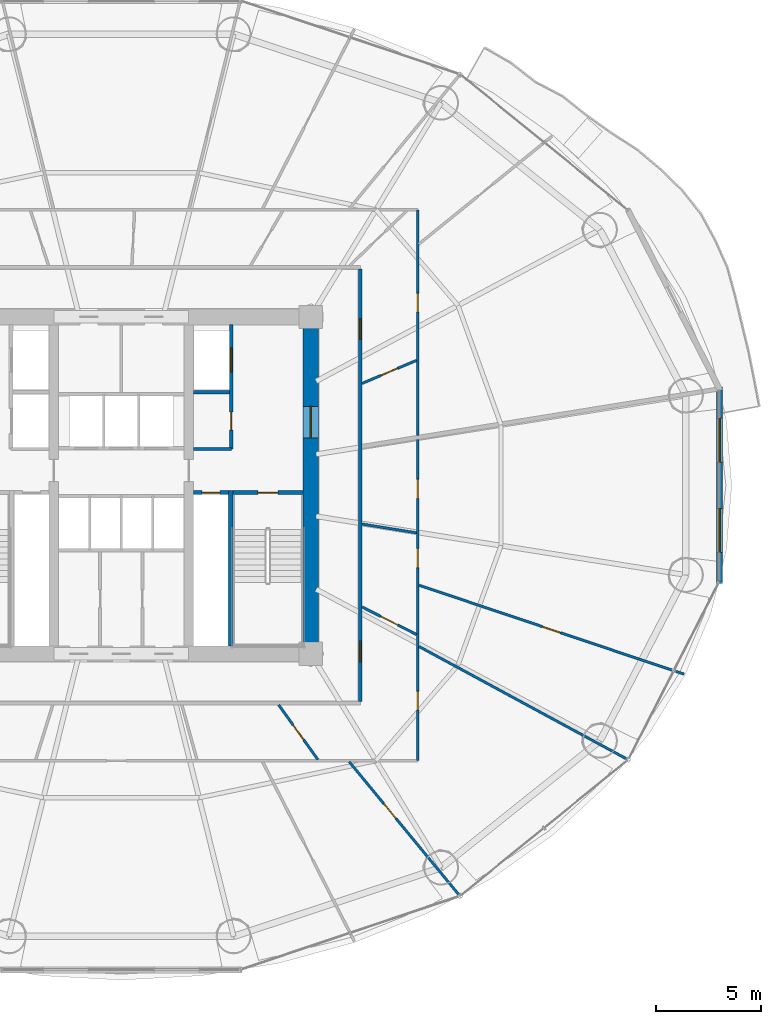
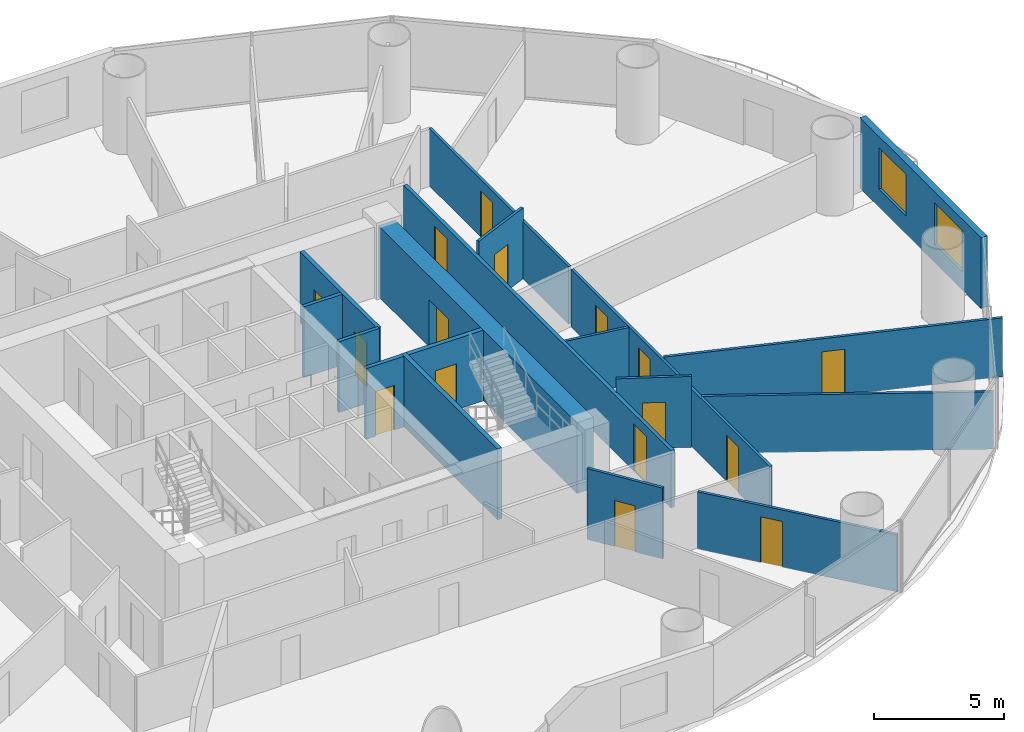
# One storey, part 23 of 28: 18 walls, 16 doors, 2 windows, 18 openings.
"""IFC4 building model written with IfcOpenShell, lengths in metres."""

from ifc_helpers import new_model, si_unit, direction, frame, frame_2d, origin, place, context, subcontext, project, spatial, rectangle, extrude, source, transform, mapped, material, layer, layer_set, type_object, element, fill, save


model = new_model("IFC4")

# Units and contexts
model_context = context("Model", 3, precision=1e-05, world=origin(), true_north=direction((-0.2419218956, 0.970295726276)))
body_context = subcontext(model_context, "Body", "Model", "MODEL_VIEW")
ifc_project = project(units=[si_unit("LENGTHUNIT", "METRE"), si_unit("AREAUNIT", "SQUARE_METRE"), si_unit("VOLUMEUNIT", "CUBIC_METRE"), si_unit("PLANEANGLEUNIT", "RADIAN"), si_unit("MASSUNIT", "GRAM", prefix="KILO")], contexts=[model_context])

# Site, building, storey
site_placement = place(None, origin())
site = spatial("IfcSite", under=ifc_project, at=site_placement, CompositionType="ELEMENT")
building_placement = place(site_placement, origin())
building = spatial("IfcBuilding", under=site, at=building_placement, Name="Cobrevalo Terracotta Tower", CompositionType="ELEMENT")
storey_placement = place(building_placement, frame((0.0, 0.0, 38.39990234375)))
storey = spatial("IfcBuildingStorey", under=building, at=storey_placement, Name="L09", CompositionType="ELEMENT", Elevation=38.39990234375)

# Wall, opening, door
ifc_material_1 = material(Name="Concrete C60", Category="concrete")
ifc_layer_1 = layer(ifc_material_1, 0.75)
ifc_layer_set_1 = layer_set([ifc_layer_1], Name="Concrete C60")
wall_type_1 = type_object("IfcWallType", Name="Core shear wall 750 mm Concrete C60", PredefinedType="SHEAR", material=ifc_layer_set_1)
wall_1_placement = place(storey_placement, frame((47.0, 19.175048828125, 0.0), z_axis=(0.0, 0.0, 1.0), x_axis=(0.0, 1.0, 0.0)))
wall_1 = element("IfcWall", 1, at=wall_1_placement, inside=storey, type_object=wall_type_1, Name="L09 east core shear wall", PredefinedType="SHEAR", context=body_context, shape_type="SweptSolid", body=[
    extrude(rectangle(XDim=15.25, YDim=0.75, at=frame_2d((7.625, 0.0))), origin(), (0.0, 0.0, 1.0), 3.320068359375),
])
opening_1_placement = place(wall_1_placement, frame((9.875, 0.0, 0.0)))
opening_1 = element("IfcOpeningElement", 2, at=opening_1_placement, cuts=wall_1, Name="Opening ID-14", PredefinedType="OPENING", context=body_context, shape_type="SweptSolid", body=[
    extrude(rectangle(XDim=1.5, YDim=2.199951171875, at=frame_2d((0.75, 1.10009765625))), frame((0.0, 0.385009765625, 0.0), z_axis=(0.0, -1.0, 0.0), x_axis=(1.0, 0.0, 0.0)), (0.0, 0.0, 1.0), 0.77001953125),
])
ifc_material_2 = material(Name="Galvanized fire-rated steel", Category="steel")
door_type_1 = type_object("IfcDoorType", Name="Core cross-lobby double fire door 1500x2200 EI 90", OperationType="NOTDEFINED", PredefinedType="DOOR", material=ifc_material_2)
shared_shape_1 = source(origin(), body_context, "Body", "SweptSolid", [
    extrude(rectangle(XDim=1.5, YDim=2.199951171875, at=frame_2d((0.75, 1.10009765625))), frame((0.0, 0.02490234375, 0.0), z_axis=(0.0, -1.0, 0.0), x_axis=(1.0, 0.0, 0.0)), (0.0, 0.0, 1.0), 0.050048828125),
])
door_1_placement = place(opening_1_placement, frame((1.5, 0.0, 0.0), z_axis=(0.0, 0.0, 1.0), x_axis=(-1.0, 0.0, 0.0)))
door_1 = element("IfcDoor", 3, at=door_1_placement, inside=storey, type_object=door_type_1, Name="L09 east firefighting lobby entrance door", OperationType="DOUBLE_DOOR_SINGLE_SWING", OverallHeight=2.199951171875, OverallWidth=1.5, PredefinedType="DOOR", context=body_context, shape_type="MappedRepresentation", body=[
    mapped(shared_shape_1, transform((0.0, 0.0, 0.0), scale=1.0)),
])
fill(opening_1, door_1)

# Walls
ifc_material_3 = material(Name="Gypsum board on steel stud", Category="steel")
ifc_layer_2 = layer(ifc_material_3, 0.159912109375)
ifc_layer_set_2 = layer_set([ifc_layer_2], Name="Gypsum board on steel stud")
wall_type_2 = type_object("IfcWallType", Name="Fire-rated corridor acoustic partition wall 160 mm", PredefinedType="PARTITIONING", material=ifc_layer_set_2)
wall_2_placement = place(storey_placement, frame((41.425048828125, 31.219970703125, 0.0), z_axis=(0.0, 0.0, 1.0), x_axis=(1.0, 0.0, 0.0)))
element("IfcWall", 4, at=wall_2_placement, inside=storey, type_object=wall_type_2, Name="L09 interior partition IW-L09-FF2-M", PredefinedType="PARTITIONING", context=body_context, shape_type="SweptSolid", body=[
    extrude(rectangle(XDim=1.71484375, YDim=0.159912109375, at=frame_2d((0.857421875, 0.0))), origin(), (0.0, 0.0, 1.0), 3.320068359375),
])
wall_3_placement = place(storey_placement, frame((41.425048828125, 28.52001953125, 0.0), z_axis=(0.0, 0.0, 1.0), x_axis=(1.0, 0.0, 0.0)))
element("IfcWall", 5, at=wall_3_placement, inside=storey, type_object=wall_type_2, Name="L09 interior partition IW-L09-FF2-S", PredefinedType="PARTITIONING", context=body_context, shape_type="SweptSolid", body=[
    extrude(rectangle(XDim=1.804931640625, YDim=0.159912109375, at=frame_2d((0.90234375, 0.0))), origin(), (0.0, 0.0, 1.0), 3.320068359375),
])

# Wall, openings, doors
wall_4_placement = place(storey_placement, frame((49.35498046875, 16.52490234375, 0.0), z_axis=(0.0, 0.0, 1.0), x_axis=(0.0, 1.0, 0.0)))
wall_4 = element("IfcWall", 6, at=wall_4_placement, inside=storey, type_object=wall_type_2, Name="L09 interior partition IW-L09-COR-E", PredefinedType="PARTITIONING", context=body_context, shape_type="SweptSolid", body=[
    extrude(rectangle(XDim=20.550048828125, YDim=0.159912109375, at=frame_2d((10.27490234375, 0.0))), origin(), (0.0, 0.0, 1.0), 2.68798828125),
])
opening_2_placement = place(wall_4_placement, frame((17.20654296875, 0.0, 0.0)))
opening_2 = element("IfcOpeningElement", 7, at=opening_2_placement, cuts=wall_4, Name="Opening ID-05", PredefinedType="OPENING", context=body_context, shape_type="SweptSolid", body=[
    extrude(rectangle(XDim=0.97998046875, YDim=2.199951171875, at=frame_2d((0.489990234375, 1.10009765625))), frame((0.0, 0.08984375, 0.0), z_axis=(0.0, -1.0, 0.0), x_axis=(1.0, 0.0, 0.0)), (0.0, 0.0, 1.0), 0.179931640625),
])
opening_3_placement = place(wall_4_placement, frame((1.89208984375, 0.0, 0.0)))
opening_3 = element("IfcOpeningElement", 8, at=opening_3_placement, cuts=wall_4, Name="Opening ID-05", PredefinedType="OPENING", context=body_context, shape_type="SweptSolid", body=[
    extrude(rectangle(XDim=0.97998046875, YDim=2.199951171875, at=frame_2d((0.489990234375, 1.10009765625))), frame((0.0, 0.08984375, 0.0), z_axis=(0.0, -1.0, 0.0), x_axis=(1.0, 0.0, 0.0)), (0.0, 0.0, 1.0), 0.179931640625),
])
ifc_material_4 = material(Name="Solid hardwood timber", Category="wood")
door_type_2 = type_object("IfcDoorType", Name="Residence entrance fire-rated acoustic timber door 980x2200 EI 60", OperationType="NOTDEFINED", PredefinedType="DOOR", material=ifc_material_4)
shared_shape_2 = source(origin(), body_context, "Body", "SweptSolid", [
    extrude(rectangle(XDim=0.97998046875, YDim=2.199951171875, at=frame_2d((0.489990234375, 1.10009765625))), frame((0.0, 0.02490234375, 0.0), z_axis=(0.0, -1.0, 0.0), x_axis=(1.0, 0.0, 0.0)), (0.0, 0.0, 1.0), 0.050048828125),
])
door_2_placement = place(opening_2_placement, frame((0.97998046875, 0.0, 0.0), z_axis=(0.0, 0.0, 1.0), x_axis=(-1.0, 0.0, 0.0)))
door_2 = element("IfcDoor", 9, at=door_2_placement, inside=storey, type_object=door_type_2, Name="Flat L09A fire-rated apartment entrance door", OperationType="SINGLE_SWING_RIGHT", OverallHeight=2.199951171875, OverallWidth=0.97998046875, PredefinedType="DOOR", context=body_context, shape_type="MappedRepresentation", body=[
    mapped(shared_shape_2, transform((0.0, 0.0, 0.0), scale=1.0)),
])
fill(opening_2, door_2)
door_3_placement = place(opening_3_placement, frame((0.97998046875, 0.0, 0.0), z_axis=(0.0, 0.0, 1.0), x_axis=(-1.0, 0.0, 0.0)))
door_3 = element("IfcDoor", 10, at=door_3_placement, inside=storey, type_object=door_type_2, Name="Flat L09C fire-rated apartment entrance door", OperationType="SINGLE_SWING_RIGHT", OverallHeight=2.199951171875, OverallWidth=0.97998046875, PredefinedType="DOOR", context=body_context, shape_type="MappedRepresentation", body=[
    mapped(shared_shape_2, transform((0.0, 0.0, 0.0), scale=1.0)),
])
fill(opening_3, door_3)

# Wall, opening, door
ifc_layer_3 = layer(ifc_material_3, 0.179931640625)
ifc_layer_set_3 = layer_set([ifc_layer_3], Name="Gypsum board on steel stud")
wall_type_3 = type_object("IfcWallType", Name="Fire-rated shaft & lobby acoustic partition wall 180 mm", PredefinedType="PARTITIONING", material=ifc_layer_set_3)
wall_5_placement = place(storey_placement, frame((41.425048828125, 26.449951171875, 0.0), z_axis=(0.0, 0.0, 1.0), x_axis=(1.0, 0.0, 0.0)))
wall_5 = element("IfcWall", 11, at=wall_5_placement, inside=storey, type_object=wall_type_3, Name="L09 interior partition IW-L09-RSE-N", PredefinedType="PARTITIONING", context=body_context, shape_type="SweptSolid", body=[
    extrude(rectangle(XDim=1.675048828125, YDim=0.179931640625, at=frame_2d((0.83740234375, 0.0))), origin(), (0.0, 0.0, 1.0), 3.320068359375),
])
opening_4_placement = place(wall_5_placement, frame((0.41259765625, 0.0, 0.0)))
opening_4 = element("IfcOpeningElement", 12, at=opening_4_placement, cuts=wall_5, Name="Opening ID-22", PredefinedType="OPENING", context=body_context, shape_type="SweptSolid", body=[
    extrude(rectangle(XDim=0.85009765625, YDim=2.10009765625, at=frame_2d((0.425048828125, 1.050048828125))), frame((0.0, 0.10009765625, 0.0), z_axis=(0.0, -1.0, 0.0), x_axis=(1.0, 0.0, 0.0)), (0.0, 0.0, 1.0), 0.199951171875),
])
ifc_material_5 = material(Name="Powder-coated steel", Category="steel")
door_type_3 = type_object("IfcDoorType", Name="Riser shaft & meter closet fire access door 850x2100 EI 60", OperationType="NOTDEFINED", PredefinedType="DOOR", material=ifc_material_5)
shared_shape_3 = source(origin(), body_context, "Body", "SweptSolid", [
    extrude(rectangle(XDim=0.85009765625, YDim=2.10009765625, at=frame_2d((0.425048828125, 1.050048828125))), frame((0.0, 0.02490234375, 0.0), z_axis=(0.0, -1.0, 0.0), x_axis=(1.0, 0.0, 0.0)), (0.0, 0.0, 1.0), 0.050048828125),
])
door_4_placement = place(opening_4_placement, origin())
door_4 = element("IfcDoor", 13, at=door_4_placement, inside=storey, type_object=door_type_3, Name="L09 riser access door RSE", OperationType="SINGLE_SWING_RIGHT", OverallHeight=2.10009765625, OverallWidth=0.85009765625, PredefinedType="DOOR", context=body_context, shape_type="MappedRepresentation", body=[
    mapped(shared_shape_3, transform((0.0, 0.0, 0.0), scale=1.0)),
])
fill(opening_4, door_4)

# Wall, openings, doors
wall_6_placement = place(storey_placement, frame((43.22998046875, 28.52001953125, 0.0), z_axis=(0.0, 0.0, 1.0), x_axis=(0.0, 1.0, 0.0)))
wall_6 = element("IfcWall", 14, at=wall_6_placement, inside=storey, type_object=wall_type_3, Name="L09 interior partition IW-L09-FF2-E", PredefinedType="PARTITIONING", context=body_context, shape_type="SweptSolid", body=[
    extrude(rectangle(XDim=5.905029296875, YDim=0.179931640625, at=frame_2d((2.95263671875, 0.0))), origin(), (0.0, 0.0, 1.0), 3.320068359375),
])
opening_5_placement = place(wall_6_placement, frame((0.905029296875, 0.0, 0.0)))
opening_5 = element("IfcOpeningElement", 15, at=opening_5_placement, cuts=wall_6, Name="Opening ID-22", PredefinedType="OPENING", context=body_context, shape_type="SweptSolid", body=[
    extrude(rectangle(XDim=0.85009765625, YDim=2.10009765625, at=frame_2d((0.425048828125, 1.050048828125))), frame((0.0, 0.10009765625, 0.0), z_axis=(0.0, -1.0, 0.0), x_axis=(1.0, 0.0, 0.0)), (0.0, 0.0, 1.0), 0.199951171875),
])
opening_6_placement = place(wall_6_placement, frame((3.655029296875, 0.0, 0.0)))
opening_6 = element("IfcOpeningElement", 16, at=opening_6_placement, cuts=wall_6, Name="Opening LD-02", PredefinedType="OPENING", context=body_context, shape_type="SweptSolid", body=[
    extrude(rectangle(XDim=1.14990234375, YDim=2.199951171875, at=frame_2d((0.574951171875, 1.10009765625))), frame((0.0, 0.10009765625, 0.0), z_axis=(0.0, -1.0, 0.0), x_axis=(1.0, 0.0, 0.0)), (0.0, 0.0, 1.0), 0.199951171875),
])
door_5_placement = place(opening_5_placement, frame((0.85009765625, 0.0, 0.0), z_axis=(0.0, 0.0, 1.0), x_axis=(-1.0, 0.0, 0.0)))
door_5 = element("IfcDoor", 17, at=door_5_placement, inside=storey, type_object=door_type_3, Name="L09 housekeeping store door", OperationType="SINGLE_SWING_RIGHT", OverallHeight=2.10009765625, OverallWidth=0.85009765625, PredefinedType="DOOR", context=body_context, shape_type="MappedRepresentation", body=[
    mapped(shared_shape_3, transform((0.0, 0.0, 0.0), scale=1.0)),
])
fill(opening_5, door_5)
ifc_material_6 = material(Name="Brushed stainless steel", Category="steel")
door_type_4 = type_object("IfcDoorType", Name="Firefighting lift landing bi-parting sliding door 1150x2200 EI 120", OperationType="DOUBLE_DOOR_SLIDING", PredefinedType="DOOR", material=ifc_material_6)
shared_shape_4 = source(origin(), body_context, "Body", "SweptSolid", [
    extrude(rectangle(XDim=1.14990234375, YDim=2.199951171875, at=frame_2d((0.574951171875, 1.10009765625))), frame((0.0, 0.02490234375, 0.0), z_axis=(0.0, -1.0, 0.0), x_axis=(1.0, 0.0, 0.0)), (0.0, 0.0, 1.0), 0.050048828125),
])
door_6_placement = place(opening_6_placement, origin())
door_6 = element("IfcDoor", 18, at=door_6_placement, inside=storey, type_object=door_type_4, Name="L09 lift landing door FF-2", OperationType="DOUBLE_DOOR_SLIDING", OverallHeight=2.199951171875, OverallWidth=1.14990234375, PredefinedType="DOOR", context=body_context, shape_type="MappedRepresentation", body=[
    mapped(shared_shape_4, transform((0.0, 0.0, 0.0), scale=1.0)),
])
fill(opening_6, door_6)

# Wall, openings, windows
ifc_material_7 = material(Name="Autoclaved aerated concrete block", Category="concrete")
ifc_layer_4 = layer(ifc_material_7, 0.280029296875)
ifc_layer_set_4 = layer_set([ifc_layer_4], Name="Autoclaved aerated concrete block")
wall_type_4 = type_object("IfcWallType", Name="Insulated tower spandrel & pier wall 280 mm with terracotta rainscreen", PredefinedType="SOLIDWALL", material=ifc_layer_set_4)
wall_7_placement = place(storey_placement, frame((66.413330078125, 22.14111328125, 0.0), z_axis=(0.0, 0.0, 1.0), x_axis=(0.0, 1.0, 0.0)))
wall_7 = element("IfcWall", 19, at=wall_7_placement, inside=storey, type_object=wall_type_4, Name="L09 terracotta rainscreen pier wall S16", PredefinedType="SOLIDWALL", context=body_context, shape_type="SweptSolid", body=[
    extrude(rectangle(XDim=9.317626953125, YDim=0.280029296875, at=frame_2d((4.65869140625, 0.0))), origin(), (0.0, 0.0, 1.0), 3.320068359375),
])
opening_7_placement = place(wall_7_placement, frame((1.4658203125, 0.0, 0.85009765625)))
opening_7 = element("IfcOpeningElement", 20, at=opening_7_placement, cuts=wall_7, Name="Opening WN-10", PredefinedType="OPENING", context=body_context, shape_type="SweptSolid", body=[
    extrude(rectangle(XDim=2.10009765625, YDim=1.949951171875, at=frame_2d((1.050048828125, 0.97509765625))), frame((0.0, 0.14990234375, 0.0), z_axis=(0.0, -1.0, 0.0), x_axis=(1.0, 0.0, 0.0)), (0.0, 0.0, 1.0), 0.300048828125),
])
opening_8_placement = place(wall_7_placement, frame((5.751708984375, 0.0, 0.85009765625)))
opening_8 = element("IfcOpeningElement", 21, at=opening_8_placement, cuts=wall_7, Name="Opening WN-10", PredefinedType="OPENING", context=body_context, shape_type="SweptSolid", body=[
    extrude(rectangle(XDim=2.10009765625, YDim=1.949951171875, at=frame_2d((1.050048828125, 0.97509765625))), frame((0.0, 0.14990234375, 0.0), z_axis=(0.0, -1.0, 0.0), x_axis=(1.0, 0.0, 0.0)), (0.0, 0.0, 1.0), 0.300048828125),
])
ifc_material_8 = material(Name="Solar-control low-E double glazing", Category="glass")
window_type = type_object("IfcWindowType", Name="Wide panoramic low-E aluminium window 2100x1950", PartitioningType="SINGLE_PANEL", PredefinedType="WINDOW", material=ifc_material_8)
shared_shape_5 = source(origin(), body_context, "Body", "SweptSolid", [
    extrude(rectangle(XDim=2.10009765625, YDim=1.949951171875, at=frame_2d((1.050048828125, 0.97509765625))), frame((0.0, 0.030029296875, 0.0), z_axis=(0.0, -1.0, 0.0), x_axis=(1.0, 0.0, 0.0)), (0.0, 0.0, 1.0), 0.06005859375),
])
window_1_placement = place(opening_7_placement, origin())
window_1 = element("IfcWindow", 22, at=window_1_placement, inside=storey, type_object=window_type, Name="L09 suite window S16A", OverallHeight=1.949951171875, OverallWidth=2.10009765625, PartitioningType="SINGLE_PANEL", PredefinedType="WINDOW", context=body_context, shape_type="MappedRepresentation", body=[
    mapped(shared_shape_5, transform((0.0, 0.0, 0.0), scale=1.0)),
])
fill(opening_7, window_1)
window_2_placement = place(opening_8_placement, origin())
window_2 = element("IfcWindow", 23, at=window_2_placement, inside=storey, type_object=window_type, Name="L09 suite window S16B", OverallHeight=1.949951171875, OverallWidth=2.10009765625, PartitioningType="SINGLE_PANEL", PredefinedType="WINDOW", context=body_context, shape_type="MappedRepresentation", body=[
    mapped(shared_shape_5, transform((0.0, 0.0, 0.0), scale=1.0)),
])
fill(opening_8, window_2)

# Wall, opening, door
ifc_layer_5 = layer(ifc_material_3, 0.1201171875)
ifc_layer_set_5 = layer_set([ifc_layer_5], Name="Gypsum board on steel stud")
wall_type_5 = type_object("IfcWallType", Name="Residential internal acoustic stud partition 120 mm", PredefinedType="PARTITIONING", material=ifc_layer_set_5)
wall_8_placement = place(storey_placement, frame((52.0849609375, 39.885009765625, 0.0), z_axis=(0.0, 0.0, 1.0), x_axis=(0.0, -1.0, 0.0)))
wall_8 = element("IfcWall", 24, at=wall_8_placement, inside=storey, type_object=wall_type_5, Name="L09 interior partition IW-L09-U1-RING1_0", PredefinedType="PARTITIONING", context=body_context, shape_type="SweptSolid", body=[
    extrude(rectangle(XDim=10.712646484375, YDim=0.1201171875, at=frame_2d((5.3564453125, 0.0))), origin(), (0.0, 0.0, 1.0), 2.68798828125),
])
opening_9_placement = place(wall_8_placement, frame((3.96533203125, 0.0, 0.0)))
opening_9 = element("IfcOpeningElement", 25, at=opening_9_placement, cuts=wall_8, Name="Opening ID-12", PredefinedType="OPENING", context=body_context, shape_type="SweptSolid", body=[
    extrude(rectangle(XDim=0.89990234375, YDim=2.14990234375, at=frame_2d((0.449951171875, 1.074951171875))), frame((0.0, 0.070068359375, 0.0), z_axis=(0.0, -1.0, 0.0), x_axis=(1.0, 0.0, 0.0)), (0.0, 0.0, 1.0), 0.14013671875),
])
ifc_material_9 = material(Name="Engineered timber", Category="wood")
door_type_5 = type_object("IfcDoorType", Name="Internal residence & suite timber door 900x2150", OperationType="NOTDEFINED", PredefinedType="DOOR", material=ifc_material_9)
shared_shape_6 = source(origin(), body_context, "Body", "SweptSolid", [
    extrude(rectangle(XDim=0.89990234375, YDim=2.14990234375, at=frame_2d((0.449951171875, 1.074951171875))), frame((0.0, 0.02490234375, 0.0), z_axis=(0.0, -1.0, 0.0), x_axis=(1.0, 0.0, 0.0)), (0.0, 0.0, 1.0), 0.050048828125),
])
door_7_placement = place(opening_9_placement, origin())
door_7 = element("IfcDoor", 26, at=door_7_placement, inside=storey, type_object=door_type_5, Name="Flat L09A Penthouse Living and Dining Room internal door", OperationType="SINGLE_SWING_RIGHT", OverallHeight=2.14990234375, OverallWidth=0.89990234375, PredefinedType="DOOR", context=body_context, shape_type="MappedRepresentation", body=[
    mapped(shared_shape_6, transform((0.0, 0.0, 0.0), scale=1.0)),
])
fill(opening_9, door_7)

wall_9_placement = place(storey_placement, frame((49.43505859375, 31.636474609375, 0.0), z_axis=(0.0, 0.0, 1.0), x_axis=(0.920969644836, 0.389634332792, 0.0)))
wall_9 = element("IfcWall", 27, at=wall_9_placement, inside=storey, type_object=wall_type_5, Name="L09 interior partition IW-L09-U1-IRAD1", PredefinedType="PARTITIONING", context=body_context, shape_type="SweptSolid", body=[
    extrude(rectangle(XDim=2.815185546875, YDim=0.1201171875, at=frame_2d((1.40771484375, 0.0))), origin(), (0.0, 0.0, 1.0), 3.320068359375),
])
opening_10_placement = place(wall_9_placement, frame((0.9775390625, 0.0, 0.0)))
opening_10 = element("IfcOpeningElement", 28, at=opening_10_placement, cuts=wall_9, Name="Opening ID-19", PredefinedType="OPENING", context=body_context, shape_type="SweptSolid", body=[
    extrude(rectangle(XDim=0.860107421875, YDim=2.14990234375, at=frame_2d((0.43017578125, 1.074951171875))), frame((0.0, 0.070068359375, 0.0), z_axis=(0.0, -1.0, 0.0), x_axis=(1.0, 0.0, 0.0)), (0.0, 0.0, 1.0), 0.14013671875),
])
ifc_material_10 = material(Name="Moisture-sealed timber", Category="wood")
door_type_6 = type_object("IfcDoorType", Name="Suite bathroom internal timber door 860x2150", OperationType="NOTDEFINED", PredefinedType="DOOR", material=ifc_material_10)
shared_shape_7 = source(origin(), body_context, "Body", "SweptSolid", [
    extrude(rectangle(XDim=0.860107421875, YDim=2.14990234375, at=frame_2d((0.43017578125, 1.074951171875))), frame((0.0, 0.02490234375, 0.0), z_axis=(0.0, -1.0, 0.0), x_axis=(1.0, 0.0, 0.0)), (0.0, 0.0, 1.0), 0.050048828125),
])
door_8_placement = place(opening_10_placement, frame((0.860107421875, 0.0, 0.0), z_axis=(0.0, 0.0, 1.0), x_axis=(-1.0, 0.0, 0.0)))
door_8 = element("IfcDoor", 29, at=door_8_placement, inside=storey, type_object=door_type_6, Name="Flat L09A Primary Bathroom internal door", OperationType="SINGLE_SWING_LEFT", OverallHeight=2.14990234375, OverallWidth=0.860107421875, PredefinedType="DOOR", context=body_context, shape_type="MappedRepresentation", body=[
    mapped(shared_shape_7, transform((0.0, 0.0, 0.0), scale=1.0)),
])
fill(opening_10, door_8)

# Wall, openings, doors
wall_10_placement = place(storey_placement, frame((52.0849609375, 28.96826171875, 0.0), z_axis=(0.0, 0.0, 1.0), x_axis=(0.0, -1.0, 0.0)))
wall_10 = element("IfcWall", 30, at=wall_10_placement, inside=storey, type_object=wall_type_5, Name="L09 interior partition IW-L09-U3-RING0_0", PredefinedType="PARTITIONING", context=body_context, shape_type="SweptSolid", body=[
    extrude(rectangle(XDim=15.253173828125, YDim=0.1201171875, at=frame_2d((7.62646484375, 0.0))), origin(), (0.0, 0.0, 1.0), 2.68798828125),
])
opening_11_placement = place(wall_10_placement, frame((11.9541015625, 0.0, 0.0)))
opening_11 = element("IfcOpeningElement", 31, at=opening_11_placement, cuts=wall_10, Name="Opening ID-12", PredefinedType="OPENING", context=body_context, shape_type="SweptSolid", body=[
    extrude(rectangle(XDim=0.89990234375, YDim=2.14990234375, at=frame_2d((0.449951171875, 1.074951171875))), frame((0.0, 0.070068359375, 0.0), z_axis=(0.0, -1.0, 0.0), x_axis=(1.0, 0.0, 0.0)), (0.0, 0.0, 1.0), 0.14013671875),
])
opening_12_placement = place(wall_10_placement, frame((5.182373046875, 0.0, 0.0)))
opening_12 = element("IfcOpeningElement", 32, at=opening_12_placement, cuts=wall_10, Name="Opening ID-12", PredefinedType="OPENING", context=body_context, shape_type="SweptSolid", body=[
    extrude(rectangle(XDim=0.89990234375, YDim=2.14990234375, at=frame_2d((0.449951171875, 1.074951171875))), frame((0.0, 0.070068359375, 0.0), z_axis=(0.0, -1.0, 0.0), x_axis=(1.0, 0.0, 0.0)), (0.0, 0.0, 1.0), 0.14013671875),
])
opening_13_placement = place(wall_10_placement, frame((1.88916015625, 0.0, 0.0)))
opening_13 = element("IfcOpeningElement", 33, at=opening_13_placement, cuts=wall_10, Name="Opening ID-12", PredefinedType="OPENING", context=body_context, shape_type="SweptSolid", body=[
    extrude(rectangle(XDim=0.89990234375, YDim=2.14990234375, at=frame_2d((0.449951171875, 1.074951171875))), frame((0.0, 0.070068359375, 0.0), z_axis=(0.0, -1.0, 0.0), x_axis=(1.0, 0.0, 0.0)), (0.0, 0.0, 1.0), 0.14013671875),
])
door_9_placement = place(opening_11_placement, origin())
door_9 = element("IfcDoor", 34, at=door_9_placement, inside=storey, type_object=door_type_5, Name="Flat L09C Penthouse Family Lounge internal door", OperationType="SINGLE_SWING_LEFT", OverallHeight=2.14990234375, OverallWidth=0.89990234375, PredefinedType="DOOR", context=body_context, shape_type="MappedRepresentation", body=[
    mapped(shared_shape_6, transform((0.0, 0.0, 0.0), scale=1.0)),
])
fill(opening_11, door_9)
door_10_placement = place(opening_12_placement, origin())
door_10 = element("IfcDoor", 35, at=door_10_placement, inside=storey, type_object=door_type_5, Name="Flat L09C Penthouse Family Lounge internal door", OperationType="SINGLE_SWING_RIGHT", OverallHeight=2.14990234375, OverallWidth=0.89990234375, PredefinedType="DOOR", context=body_context, shape_type="MappedRepresentation", body=[
    mapped(shared_shape_6, transform((0.0, 0.0, 0.0), scale=1.0)),
])
fill(opening_12, door_10)
door_11_placement = place(opening_13_placement, frame((0.89990234375, 0.0, 0.0), z_axis=(0.0, 0.0, 1.0), x_axis=(-1.0, 0.0, 0.0)))
door_11 = element("IfcDoor", 36, at=door_11_placement, inside=storey, type_object=door_type_5, Name="Flat L09C Home Office Study internal door", OperationType="SINGLE_SWING_LEFT", OverallHeight=2.14990234375, OverallWidth=0.89990234375, PredefinedType="DOOR", context=body_context, shape_type="MappedRepresentation", body=[
    mapped(shared_shape_6, transform((0.0, 0.0, 0.0), scale=1.0)),
])
fill(opening_13, door_11)

# Wall, opening, door
wall_11_placement = place(storey_placement, frame((48.828857421875, 13.667236328125, 0.0), z_axis=(0.0, 0.0, 1.0), x_axis=(0.636177533893, -0.771542704826, 0.0)))
wall_11 = element("IfcWall", 37, at=wall_11_placement, inside=storey, type_object=wall_type_5, Name="L09 interior partition IW-L09-U3-ORAD2M1", PredefinedType="PARTITIONING", context=body_context, shape_type="SweptSolid", body=[
    extrude(rectangle(XDim=8.1865234375, YDim=0.1201171875, at=frame_2d((4.09326171875, 0.0))), origin(), (0.0, 0.0, 1.0), 2.68798828125),
])
opening_14_placement = place(wall_11_placement, frame((2.584228515625, 0.0, 0.0)))
opening_14 = element("IfcOpeningElement", 38, at=opening_14_placement, cuts=wall_11, Name="Opening ID-12", PredefinedType="OPENING", context=body_context, shape_type="SweptSolid", body=[
    extrude(rectangle(XDim=0.89990234375, YDim=2.14990234375, at=frame_2d((0.449951171875, 1.074951171875))), frame((0.0, 0.070068359375, 0.0), z_axis=(0.0, -1.0, 0.0), x_axis=(1.0, 0.0, 0.0)), (0.0, 0.0, 1.0), 0.14013671875),
])
door_12_placement = place(opening_14_placement, frame((0.89990234375, 0.0, 0.0), z_axis=(0.0, 0.0, 1.0), x_axis=(-1.0, 0.0, 0.0)))
door_12 = element("IfcDoor", 39, at=door_12_placement, inside=storey, type_object=door_type_5, Name="Flat L09C Master Bedroom internal door", OperationType="SINGLE_SWING_RIGHT", OverallHeight=2.14990234375, OverallWidth=0.89990234375, PredefinedType="DOOR", context=body_context, shape_type="MappedRepresentation", body=[
    mapped(shared_shape_6, transform((0.0, 0.0, 0.0), scale=1.0)),
])
fill(opening_14, door_12)

# Wall
wall_12_placement = place(storey_placement, frame((52.139404296875, 19.14404296875, 0.0), z_axis=(0.0, 0.0, 1.0), x_axis=(0.879372452045, -0.476134529922, 0.0)))
element("IfcWall", 40, at=wall_12_placement, inside=storey, type_object=wall_type_5, Name="L09 interior partition IW-L09-U3-ORAD2M2", PredefinedType="PARTITIONING", context=body_context, shape_type="SweptSolid", body=[
    extrude(rectangle(XDim=11.219482421875, YDim=0.1201171875, at=frame_2d((5.60986328125, 0.0))), origin(), (0.0, 0.0, 1.0), 2.68798828125),
])

# Wall, opening, door
wall_13_placement = place(storey_placement, frame((52.143798828125, 22.052490234375, 0.0), z_axis=(0.0, 0.0, 1.0), x_axis=(0.948023034133, -0.318201707653, 0.0)))
wall_13 = element("IfcWall", 41, at=wall_13_placement, inside=storey, type_object=wall_type_5, Name="L09 interior partition IW-L09-U3-ORAD2", PredefinedType="PARTITIONING", context=body_context, shape_type="SweptSolid", body=[
    extrude(rectangle(XDim=13.27880859375, YDim=0.1201171875, at=frame_2d((6.639404296875, 0.0))), origin(), (0.0, 0.0, 1.0), 2.76220703125),
])
opening_15_placement = place(wall_13_placement, frame((6.189453125, 0.0, 0.0)))
opening_15 = element("IfcOpeningElement", 42, at=opening_15_placement, cuts=wall_13, Name="Opening ID-12", PredefinedType="OPENING", context=body_context, shape_type="SweptSolid", body=[
    extrude(rectangle(XDim=0.89990234375, YDim=2.14990234375, at=frame_2d((0.449951171875, 1.074951171875))), frame((0.0, 0.070068359375, 0.0), z_axis=(0.0, -1.0, 0.0), x_axis=(1.0, 0.0, 0.0)), (0.0, 0.0, 1.0), 0.14013671875),
])
door_13_placement = place(opening_15_placement, frame((0.89990234375, 0.0, 0.0), z_axis=(0.0, 0.0, 1.0), x_axis=(-1.0, 0.0, 0.0)))
door_13 = element("IfcDoor", 43, at=door_13_placement, inside=storey, type_object=door_type_5, Name="Flat L09C Principal Guest Bedroom internal door", OperationType="SINGLE_SWING_LEFT", OverallHeight=2.14990234375, OverallWidth=0.89990234375, PredefinedType="DOOR", context=body_context, shape_type="MappedRepresentation", body=[
    mapped(shared_shape_6, transform((0.0, 0.0, 0.0), scale=1.0)),
])
fill(opening_15, door_13)

wall_14_placement = place(storey_placement, frame((45.479736328125, 16.364990234375, 0.0), z_axis=(0.0, 0.0, 1.0), x_axis=(0.582566008831, -0.812783393872, 0.0)))
wall_14 = element("IfcWall", 44, at=wall_14_placement, inside=storey, type_object=wall_type_5, Name="L09 interior partition IW-L09-U3-IRAD3", PredefinedType="PARTITIONING", context=body_context, shape_type="SweptSolid", body=[
    extrude(rectangle(XDim=3.198486328125, YDim=0.1201171875, at=frame_2d((1.59912109375, 0.0))), origin(), (0.0, 0.0, 1.0), 3.320068359375),
])
opening_16_placement = place(wall_14_placement, frame((1.169189453125, 0.0, 0.0)))
opening_16 = element("IfcOpeningElement", 45, at=opening_16_placement, cuts=wall_14, Name="Opening ID-19", PredefinedType="OPENING", context=body_context, shape_type="SweptSolid", body=[
    extrude(rectangle(XDim=0.860107421875, YDim=2.14990234375, at=frame_2d((0.43017578125, 1.074951171875))), frame((0.0, 0.070068359375, 0.0), z_axis=(0.0, -1.0, 0.0), x_axis=(1.0, 0.0, 0.0)), (0.0, 0.0, 1.0), 0.14013671875),
])
door_14_placement = place(opening_16_placement, frame((0.860107421875, 0.0, 0.0), z_axis=(0.0, 0.0, 1.0), x_axis=(-1.0, 0.0, 0.0)))
door_14 = element("IfcDoor", 46, at=door_14_placement, inside=storey, type_object=door_type_6, Name="Flat L09C Primary Bathroom internal door", OperationType="SINGLE_SWING_LEFT", OverallHeight=2.14990234375, OverallWidth=0.860107421875, PredefinedType="DOOR", context=body_context, shape_type="MappedRepresentation", body=[
    mapped(shared_shape_7, transform((0.0, 0.0, 0.0), scale=1.0)),
])
fill(opening_16, door_14)

wall_15_placement = place(storey_placement, frame((49.43505859375, 21.02099609375, 0.0), z_axis=(0.0, 0.0, 1.0), x_axis=(0.892504324967, -0.451038834155, 0.0)))
wall_15 = element("IfcWall", 47, at=wall_15_placement, inside=storey, type_object=wall_type_5, Name="L09 interior partition IW-L09-U3-IRAD4", PredefinedType="PARTITIONING", context=body_context, shape_type="SweptSolid", body=[
    extrude(rectangle(XDim=2.9072265625, YDim=0.1201171875, at=frame_2d((1.45361328125, 0.0))), origin(), (0.0, 0.0, 1.0), 3.320068359375),
])
opening_17_placement = place(wall_15_placement, frame((1.003662109375, 0.0, 0.0)))
opening_17 = element("IfcOpeningElement", 48, at=opening_17_placement, cuts=wall_15, Name="Opening ID-12", PredefinedType="OPENING", context=body_context, shape_type="SweptSolid", body=[
    extrude(rectangle(XDim=0.89990234375, YDim=2.14990234375, at=frame_2d((0.449951171875, 1.074951171875))), frame((0.0, 0.070068359375, 0.0), z_axis=(0.0, -1.0, 0.0), x_axis=(1.0, 0.0, 0.0)), (0.0, 0.0, 1.0), 0.14013671875),
])
door_15_placement = place(opening_17_placement, origin())
door_15 = element("IfcDoor", 49, at=door_15_placement, inside=storey, type_object=door_type_5, Name="Flat L09C Kitchen internal door", OperationType="SINGLE_SWING_RIGHT", OverallHeight=2.14990234375, OverallWidth=0.89990234375, PredefinedType="DOOR", context=body_context, shape_type="MappedRepresentation", body=[
    mapped(shared_shape_6, transform((0.0, 0.0, 0.0), scale=1.0)),
])
fill(opening_17, door_15)

# Walls
wall_16_placement = place(storey_placement, frame((49.43505859375, 24.956787109375, 0.0), z_axis=(0.0, 0.0, 1.0), x_axis=(0.987258113076, -0.159127050386, 0.0)))
element("IfcWall", 50, at=wall_16_placement, inside=storey, type_object=wall_type_5, Name="L09 interior partition IW-L09-U3-IRAD5", PredefinedType="PARTITIONING", context=body_context, shape_type="SweptSolid", body=[
    extrude(rectangle(XDim=2.6220703125, YDim=0.1201171875, at=frame_2d((1.31103515625, 0.0))), origin(), (0.0, 0.0, 1.0), 2.68798828125),
])
ifc_material_11 = material(Name="Concrete C50", Category="concrete")
ifc_layer_6 = layer(ifc_material_11, 0.199951171875)
ifc_layer_set_6 = layer_set([ifc_layer_6], Name="Concrete C50")
wall_type_6 = type_object("IfcWallType", Name="Structural core & podium stair-shaft RC wall 200 mm Concrete C50", PredefinedType="SOLIDWALL", material=ifc_layer_set_6)
wall_17_placement = place(storey_placement, frame((43.205078125, 19.175048828125, 0.0), z_axis=(0.0, 0.0, 1.0), x_axis=(0.0, 1.0, 0.0)))
element("IfcWall", 51, at=wall_17_placement, inside=storey, type_object=wall_type_6, Name="L09 ST-2 west structural shaft wall", PredefinedType="SOLIDWALL", context=body_context, shape_type="SweptSolid", body=[
    extrude(rectangle(XDim=7.375, YDim=0.199951171875, at=frame_2d((3.6875, 0.0))), origin(), (0.0, 0.0, 1.0), 3.320068359375),
])

# Wall, opening, door
wall_18_placement = place(storey_placement, frame((43.304931640625, 26.449951171875, 0.0), z_axis=(0.0, 0.0, 1.0), x_axis=(1.0, 0.0, 0.0)))
wall_18 = element("IfcWall", 52, at=wall_18_placement, inside=storey, type_object=wall_type_6, Name="L09 ST-2 north structural shaft wall", PredefinedType="SOLIDWALL", context=body_context, shape_type="SweptSolid", body=[
    extrude(rectangle(XDim=3.320068359375, YDim=0.199951171875, at=frame_2d((1.66015625, 0.0))), origin(), (0.0, 0.0, 1.0), 3.320068359375),
])
opening_18_placement = place(wall_18_placement, frame((1.18505859375, 0.0, 0.0)))
opening_18 = element("IfcOpeningElement", 53, at=opening_18_placement, cuts=wall_18, Name="Opening ID-04", PredefinedType="OPENING", context=body_context, shape_type="SweptSolid", body=[
    extrude(rectangle(XDim=0.949951171875, YDim=2.14990234375, at=frame_2d((0.47509765625, 1.074951171875))), frame((0.0, 0.10986328125, 0.0), z_axis=(0.0, -1.0, 0.0), x_axis=(1.0, 0.0, 0.0)), (0.0, 0.0, 1.0), 0.219970703125),
])
door_type_7 = type_object("IfcDoorType", Name="Stair & firefighting lobby fire door 950x2150 EI 90", OperationType="NOTDEFINED", PredefinedType="DOOR", material=ifc_material_2)
shared_shape_8 = source(origin(), body_context, "Body", "SweptSolid", [
    extrude(rectangle(XDim=0.949951171875, YDim=2.14990234375, at=frame_2d((0.47509765625, 1.074951171875))), frame((0.0, 0.02490234375, 0.0), z_axis=(0.0, -1.0, 0.0), x_axis=(1.0, 0.0, 0.0)), (0.0, 0.0, 1.0), 0.050048828125),
])
door_16_placement = place(opening_18_placement, frame((0.949951171875, 0.0, 0.0), z_axis=(0.0, 0.0, 1.0), x_axis=(-1.0, 0.0, 0.0)))
door_16 = element("IfcDoor", 54, at=door_16_placement, inside=storey, type_object=door_type_7, Name="L09 protected stair ST2 fire door", OperationType="SINGLE_SWING_RIGHT", OverallHeight=2.14990234375, OverallWidth=0.949951171875, PredefinedType="DOOR", context=body_context, shape_type="MappedRepresentation", body=[
    mapped(shared_shape_8, transform((0.0, 0.0, 0.0), scale=1.0)),
])
fill(opening_18, door_16)

save(model, "model.ifc")
